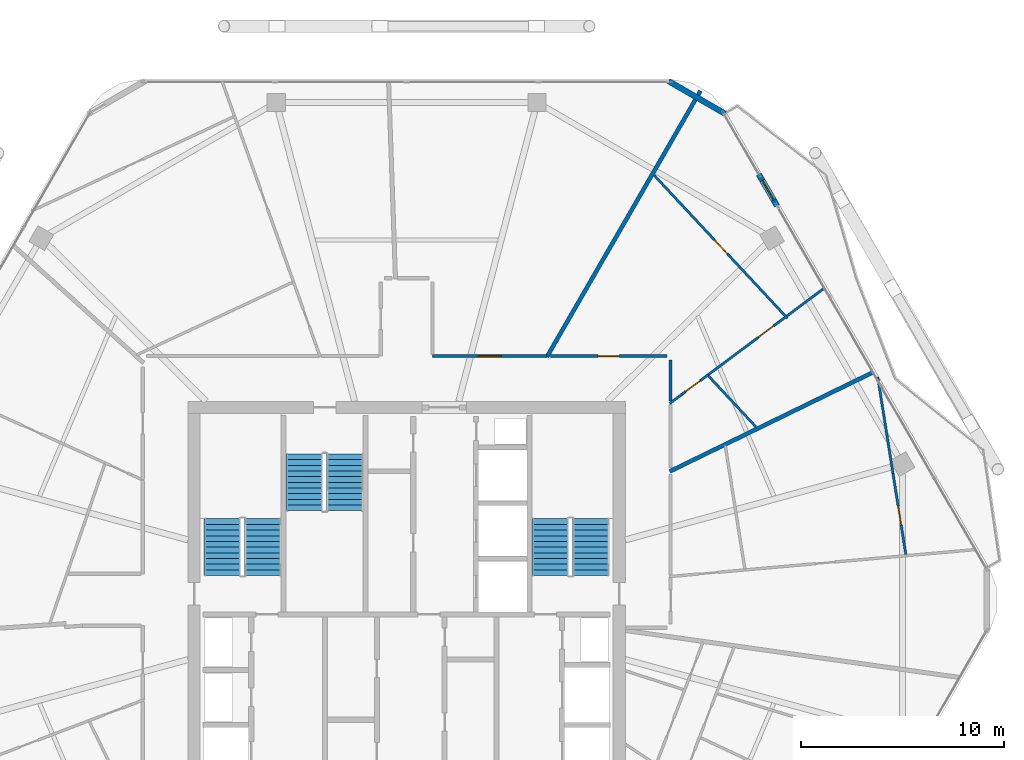
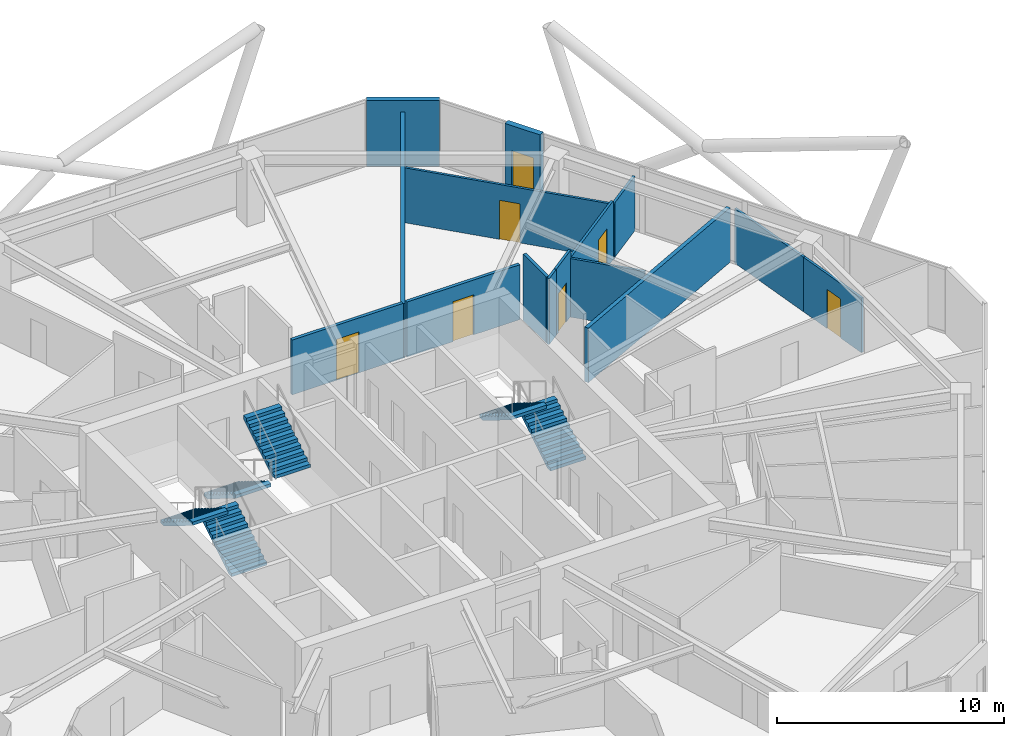
# One storey, part 24 of 27: 15 walls, 7 doors, 6 stair flights, 7 openings, 3 elements without a shape of their own.
"""IFC4 building model written with IfcOpenShell, lengths in metres."""

from ifc_helpers import new_model, si_unit, direction, frame, frame_2d, origin, place, context, subcontext, project, spatial, polyline, rectangle, outline, extrude, material, layer, layer_set, type_object, element, fill, aggregate, save


model = new_model("IFC4")

# Units and contexts
model_context = context("Model", 3, precision=1e-05, world=origin(), true_north=direction((0.0, 1.0)))
body_context = subcontext(model_context, "Body", "Model", "MODEL_VIEW")
ifc_project = project(units=[si_unit("LENGTHUNIT", "METRE"), si_unit("AREAUNIT", "SQUARE_METRE"), si_unit("VOLUMEUNIT", "CUBIC_METRE"), si_unit("PLANEANGLEUNIT", "RADIAN"), si_unit("MASSUNIT", "GRAM", prefix="KILO")], contexts=[model_context])

# Site, building, storey
site_placement = place(None, origin())
site = spatial("IfcSite", under=ifc_project, at=site_placement, CompositionType="ELEMENT")
building_placement = place(site_placement, origin())
building = spatial("IfcBuilding", under=site, at=building_placement, Name="Zuhravey Tower", CompositionType="ELEMENT")
storey_placement = place(building_placement, frame((0.0, 0.0, 238.800048828125)))
storey = spatial("IfcBuildingStorey", under=building, at=storey_placement, Name="L60", CompositionType="ELEMENT", Elevation=238.800048828125)

# Wall, opening, door
ifc_material_1 = material(Name="Gypsum fire-rated stud partition")
ifc_layer_1 = layer(ifc_material_1, 0.159912109375)
ifc_layer_set_1 = layer_set([ifc_layer_1], Name="Gypsum fire-rated stud partition")
wall_type_1 = type_object("IfcWallType", Name="Corridor Fire Partition 160", PredefinedType="PARTITIONING", material=ifc_layer_set_1)
wall_1_placement = place(storey_placement, frame((48.85009765625, 44.030029296875, 0.0), z_axis=(0.0, 0.0, 1.0), x_axis=(-1.0, 0.0, 0.0)))
wall_1 = element("IfcWall", 1, at=wall_1_placement, inside=storey, type_object=wall_type_1, Name="L60 IW16 Partition 052", PredefinedType="PARTITIONING", context=body_context, shape_type="SweptSolid", body=[
    extrude(rectangle(XDim=5.74072265625, YDim=0.159912109375, at=frame_2d((2.870361328125, 0.0))), origin(), (0.0, 0.0, 1.0), 2.949951171875),
])
opening_1_placement = place(wall_1_placement, frame((2.34521484375, 0.0, 0.0)))
opening_1 = element("IfcOpeningElement", 2, at=opening_1_placement, cuts=wall_1, Name="Opening APD1", PredefinedType="OPENING", context=body_context, shape_type="SweptSolid", body=[
    extrude(rectangle(XDim=1.050048828125, YDim=2.14990234375, at=frame_2d((0.52490234375, 1.074951171875))), frame((0.0, 0.092041015625, 0.0), z_axis=(0.0, -1.0, 0.0), x_axis=(1.0, 0.0, 0.0)), (0.0, 0.0, 1.0), 0.183837890625),
])
ifc_material_2 = material(Name="Solid-core oak fire-rated leaf")
door_type_1 = type_object("IfcDoorType", Name="Apartment Entrance Fire Door 1050x2150", OperationType="NOTDEFINED", PredefinedType="DOOR", material=ifc_material_2)
door_1_placement = place(opening_1_placement, frame((1.050048828125, 0.0, 0.0), z_axis=(0.0, 0.0, 1.0), x_axis=(-1.0, 0.0, 0.0)))
door_1 = element("IfcDoor", 3, at=door_1_placement, inside=storey, type_object=door_type_1, Name="L60 Door 052.1", OperationType="SINGLE_SWING_RIGHT", OverallHeight=2.14990234375, OverallWidth=1.050048828125, PredefinedType="DOOR", context=body_context, shape_type="SweptSolid", body=[
    extrude(rectangle(XDim=1.050048828125, YDim=2.14990234375, at=frame_2d((0.52490234375, 1.074951171875))), frame((0.0, 0.02490234375, 0.0), z_axis=(0.0, -1.0, 0.0), x_axis=(1.0, 0.0, 0.0)), (0.0, 0.0, 1.0), 0.050048828125),
])
fill(opening_1, door_1)

wall_2_placement = place(storey_placement, frame((42.92236328125, 44.030029296875, 0.0), z_axis=(0.0, 0.0, 1.0), x_axis=(-1.0, 0.0, 0.0)))
wall_2 = element("IfcWall", 4, at=wall_2_placement, inside=storey, type_object=wall_type_1, Name="L60 IW16 Partition 053", PredefinedType="PARTITIONING", context=body_context, shape_type="SweptSolid", body=[
    extrude(rectangle(XDim=5.642333984375, YDim=0.159912109375, at=frame_2d((2.8212890625, 0.0))), origin(), (0.0, 0.0, 1.0), 2.949951171875),
])
opening_2_placement = place(wall_2_placement, frame((2.24609375, 0.0, 0.0)))
opening_2 = element("IfcOpeningElement", 5, at=opening_2_placement, cuts=wall_2, Name="Opening CLD1", PredefinedType="OPENING", context=body_context, shape_type="SweptSolid", body=[
    extrude(rectangle(XDim=1.14990234375, YDim=2.199951171875, at=frame_2d((0.574951171875, 1.10009765625))), frame((0.0, 0.092041015625, 0.0), z_axis=(0.0, -1.0, 0.0), x_axis=(1.0, 0.0, 0.0)), (0.0, 0.0, 1.0), 0.183837890625),
])
ifc_material_3 = material(Name="Acoustic timber leaf with vision lite", Category="wood")
door_type_2 = type_object("IfcDoorType", Name="Classroom Acoustic Door 1150x2200", OperationType="NOTDEFINED", PredefinedType="DOOR", material=ifc_material_3)
door_2_placement = place(opening_2_placement, frame((1.14990234375, 0.0, 0.0), z_axis=(0.0, 0.0, 1.0), x_axis=(-1.0, 0.0, 0.0)))
door_2 = element("IfcDoor", 6, at=door_2_placement, inside=storey, type_object=door_type_2, Name="L60 Door 053.1", OperationType="SINGLE_SWING_LEFT", OverallHeight=2.199951171875, OverallWidth=1.14990234375, PredefinedType="DOOR", context=body_context, shape_type="SweptSolid", body=[
    extrude(rectangle(XDim=1.14990234375, YDim=2.199951171875, at=frame_2d((0.574951171875, 1.10009765625))), frame((0.0, 0.02490234375, 0.0), z_axis=(0.0, -1.0, 0.0), x_axis=(1.0, 0.0, 0.0)), (0.0, 0.0, 1.0), 0.050048828125),
])
fill(opening_2, door_2)

# Walls
wall_3_placement = place(storey_placement, frame((49.030029296875, 41.8076171875, 0.0), z_axis=(0.0, 0.0, 1.0), x_axis=(0.0, 1.0, 0.0)))
element("IfcWall", 7, at=wall_3_placement, inside=storey, type_object=wall_type_1, Name="L60 IW16 Partition 112", PredefinedType="PARTITIONING", context=body_context, shape_type="SweptSolid", body=[
    extrude(rectangle(XDim=2.04248046875, YDim=0.159912109375, at=frame_2d((1.021240234375, 0.0))), origin(), (0.0, 0.0, 1.0), 3.550048828125),
])
ifc_material_4 = material(Name="Precast concrete C40/50", Category="concrete")
ifc_layer_2 = layer(ifc_material_4, 0.280029296875)
ifc_layer_set_2 = layer_set([ifc_layer_2], Name="Precast concrete C40/50")
wall_type_2 = type_object("IfcWallType", Name="Crown Architectural Wall 280", PredefinedType="SOLIDWALL", material=ifc_layer_set_2)
wall_4_placement = place(storey_placement, frame((48.930419921875, 57.611083984375, 0.0), z_axis=(0.0, 0.0, 1.0), x_axis=(0.866028773314, -0.499994163758, 0.0)))
element("IfcWall", 8, at=wall_4_placement, inside=storey, type_object=wall_type_2, Name="L60 Rounded Corner Closure Wall EW28-10", PredefinedType="SOLIDWALL", context=body_context, shape_type="SweptSolid", body=[
    extrude(rectangle(XDim=3.21484375, YDim=0.280029296875, at=frame_2d((1.607421875, 0.0))), origin(), (0.0, 0.0, 1.0), 3.550048828125),
])

# Wall, opening, door
wall_5_placement = place(storey_placement, frame((53.393310546875, 53.0009765625, 0.0), z_axis=(0.0, 0.0, 1.0), x_axis=(0.499982180423, -0.866035691677, 0.0)))
wall_5 = element("IfcWall", 9, at=wall_5_placement, inside=storey, type_object=wall_type_2, Name="L60 Face 1 Facade Pier EW28-1", PredefinedType="SOLIDWALL", context=body_context, shape_type="SweptSolid", body=[
    extrude(rectangle(XDim=1.7900390625, YDim=0.280029296875, at=frame_2d((0.89501953125, 0.0))), origin(), (0.0, 0.0, 1.0), 3.550048828125),
])
opening_3_placement = place(wall_5_placement, frame((0.344970703125, 0.0, 0.0)))
opening_3 = element("IfcOpeningElement", 10, at=opening_3_placement, cuts=wall_5, Name="Opening BLD1", PredefinedType="OPENING", context=body_context, shape_type="SweptSolid", body=[
    extrude(rectangle(XDim=1.10009765625, YDim=2.199951171875, at=frame_2d((0.550048828125, 1.10009765625))), frame((0.0, 0.152099609375, 0.0), z_axis=(0.0, -1.0, 0.0), x_axis=(1.0, 0.0, 0.0)), (0.0, 0.0, 1.0), 0.303955078125),
])
ifc_material_5 = material(Name="Thermally broken aluminium and low-E glass", Category="aluminium")
door_type_3 = type_object("IfcDoorType", Name="Balcony & Sky-Tray Glazed Door 1100x2200", OperationType="NOTDEFINED", PredefinedType="DOOR", material=ifc_material_5)
door_3_placement = place(opening_3_placement, frame((1.10009765625, 0.0, 0.0), z_axis=(0.0, 0.0, 1.0), x_axis=(-1.0, 0.0, 0.0)))
door_3 = element("IfcDoor", 11, at=door_3_placement, inside=storey, type_object=door_type_3, Name="L60 Face 1 Wave Balcony Door", OperationType="SINGLE_SWING_RIGHT", OverallHeight=2.199951171875, OverallWidth=1.10009765625, PredefinedType="DOOR", context=body_context, shape_type="SweptSolid", body=[
    extrude(rectangle(XDim=1.10009765625, YDim=2.199951171875, at=frame_2d((0.550048828125, 1.10009765625))), frame((0.0, 0.02490234375, 0.0), z_axis=(0.0, -1.0, 0.0), x_axis=(1.0, 0.0, 0.0)), (0.0, 0.0, 1.0), 0.050048828125),
])
fill(opening_3, door_3)

# Walls
ifc_material_6 = material(Name="Gypsum double-stud party assembly")
ifc_layer_3 = layer(ifc_material_6, 0.199951171875)
ifc_layer_set_3 = layer_set([ifc_layer_3], Name="Gypsum double-stud party assembly")
wall_type_3 = type_object("IfcWallType", Name="Inter-Tenancy Party Wall 200", PredefinedType="PARTITIONING", material=ifc_layer_set_3)
wall_6_placement = place(storey_placement, frame((48.989990234375, 38.335693359375, 0.0), z_axis=(0.0, 0.0, 1.0), x_axis=(0.898797423647, 0.438364222133, 0.0)))
element("IfcWall", 12, at=wall_6_placement, inside=storey, type_object=wall_type_3, Name="L60 IW20 Partition 090", PredefinedType="PARTITIONING", context=body_context, shape_type="SweptSolid", body=[
    extrude(rectangle(XDim=11.17333984375, YDim=0.199951171875, at=frame_2d((5.586669921875, 0.0))), origin(), (0.0, 0.0, 1.0), 2.929931640625),
])
wall_7_placement = place(storey_placement, frame((42.92236328125, 43.989990234375, 0.0), z_axis=(0.0, 0.0, 1.0), x_axis=(0.500001103527, 0.866024766662, 0.0)))
element("IfcWall", 13, at=wall_7_placement, inside=storey, type_object=wall_type_3, Name="L60 IW20 Partition 093", PredefinedType="PARTITIONING", context=body_context, shape_type="SweptSolid", body=[
    extrude(rectangle(XDim=15.16845703125, YDim=0.199951171875, at=frame_2d((7.584228515625, 0.0))), origin(), (0.0, 0.0, 1.0), 2.929931640625),
])

# Wall, opening, door
ifc_material_7 = material(Name="Gypsum metal-stud partition")
ifc_layer_4 = layer(ifc_material_7, 0.1201171875)
ifc_layer_set_4 = layer_set([ifc_layer_4], Name="Gypsum metal-stud partition")
wall_type_4 = type_object("IfcWallType", Name="Unit Internal Partition 120", PredefinedType="PARTITIONING", material=ifc_layer_set_4)
wall_8_placement = place(storey_placement, frame((60.647705078125, 34.241943359375, 0.0), z_axis=(0.0, 0.0, 1.0), x_axis=(-0.156452472951, 0.987685488254, 0.0)))
wall_8 = element("IfcWall", 14, at=wall_8_placement, inside=storey, type_object=wall_type_4, Name="L60 IW12 Partition 046", PredefinedType="PARTITIONING", context=body_context, shape_type="SweptSolid", body=[
    extrude(rectangle(XDim=4.043212890625, YDim=0.1201171875, at=frame_2d((2.021484375, 0.0))), origin(), (0.0, 0.0, 1.0), 2.929931640625),
])
opening_4_placement = place(wall_8_placement, frame((1.46240234375, 0.0, 0.0)))
opening_4 = element("IfcOpeningElement", 15, at=opening_4_placement, cuts=wall_8, Name="Opening IND1", PredefinedType="OPENING", context=body_context, shape_type="SweptSolid", body=[
    extrude(rectangle(XDim=0.949951171875, YDim=2.10009765625, at=frame_2d((0.47509765625, 1.050048828125))), frame((0.0, 0.072021484375, 0.0), z_axis=(0.0, -1.0, 0.0), x_axis=(1.0, 0.0, 0.0)), (0.0, 0.0, 1.0), 0.14404296875),
])
ifc_material_8 = material(Name="Painted engineered timber leaf", Category="wood")
door_type_4 = type_object("IfcDoorType", Name="Internal Room & Bedroom Door 950x2100", OperationType="NOTDEFINED", PredefinedType="DOOR", material=ifc_material_8)
door_4_placement = place(opening_4_placement, frame((0.949951171875, 0.0, 0.0), z_axis=(0.0, 0.0, 1.0), x_axis=(-1.0, 0.0, 0.0)))
door_4 = element("IfcDoor", 16, at=door_4_placement, inside=storey, type_object=door_type_4, Name="Apartment L60-07 Bedroom 1 Door", OperationType="SINGLE_SWING_LEFT", OverallHeight=2.10009765625, OverallWidth=0.949951171875, PredefinedType="DOOR", context=body_context, shape_type="SweptSolid", body=[
    extrude(rectangle(XDim=0.949951171875, YDim=2.10009765625, at=frame_2d((0.47509765625, 1.050048828125))), frame((0.0, 0.02490234375, 0.0), z_axis=(0.0, -1.0, 0.0), x_axis=(1.0, 0.0, 0.0)), (0.0, 0.0, 1.0), 0.050048828125),
])
fill(opening_4, door_4)

wall_9_placement = place(storey_placement, frame((54.80029296875, 45.90380859375, 0.0), z_axis=(0.0, 0.0, 1.0), x_axis=(-0.68198067204, 0.731370195567, 0.0)))
wall_9 = element("IfcWall", 17, at=wall_9_placement, inside=storey, type_object=wall_type_4, Name="L60 IW12 Partition 048", PredefinedType="PARTITIONING", context=body_context, shape_type="SweptSolid", body=[
    extrude(rectangle(XDim=9.63916015625, YDim=0.1201171875, at=frame_2d((4.819580078125, 0.0))), origin(), (0.0, 0.0, 1.0), 2.949951171875),
])
opening_5_placement = place(wall_9_placement, frame((4.344482421875, 0.0, 0.0)))
opening_5 = element("IfcOpeningElement", 18, at=opening_5_placement, cuts=wall_9, Name="Opening IND1", PredefinedType="OPENING", context=body_context, shape_type="SweptSolid", body=[
    extrude(rectangle(XDim=0.949951171875, YDim=2.10009765625, at=frame_2d((0.47509765625, 1.050048828125))), frame((0.0, 0.072021484375, 0.0), z_axis=(0.0, -1.0, 0.0), x_axis=(1.0, 0.0, 0.0)), (0.0, 0.0, 1.0), 0.14404296875),
])
door_5_placement = place(opening_5_placement, frame((0.949951171875, 0.0, 0.0), z_axis=(0.0, 0.0, 1.0), x_axis=(-1.0, 0.0, 0.0)))
door_5 = element("IfcDoor", 19, at=door_5_placement, inside=storey, type_object=door_type_4, Name="Apartment L60-08 Family Study Door", OperationType="SINGLE_SWING_LEFT", OverallHeight=2.10009765625, OverallWidth=0.949951171875, PredefinedType="DOOR", context=body_context, shape_type="SweptSolid", body=[
    extrude(rectangle(XDim=0.949951171875, YDim=2.10009765625, at=frame_2d((0.47509765625, 1.050048828125))), frame((0.0, 0.02490234375, 0.0), z_axis=(0.0, -1.0, 0.0), x_axis=(1.0, 0.0, 0.0)), (0.0, 0.0, 1.0), 0.050048828125),
])
fill(opening_5, door_5)

wall_10_placement = place(storey_placement, frame((49.60009765625, 42.148193359375, 0.0), z_axis=(0.0, 0.0, 1.0), x_axis=(0.801441831829, 0.598072729854, 0.0)))
wall_10 = element("IfcWall", 20, at=wall_10_placement, inside=storey, type_object=wall_type_4, Name="L60 IW12 Partition 049", PredefinedType="PARTITIONING", context=body_context, shape_type="SweptSolid", body=[
    extrude(rectangle(XDim=1.6025390625, YDim=0.1201171875, at=frame_2d((0.80126953125, 0.0))), origin(), (0.0, 0.0, 1.0), 3.550048828125),
])
opening_6_placement = place(wall_10_placement, frame((0.22314453125, 0.0, 0.0)))
opening_6 = element("IfcOpeningElement", 21, at=opening_6_placement, cuts=wall_10, Name="Opening WCD1", PredefinedType="OPENING", context=body_context, shape_type="SweptSolid", body=[
    extrude(rectangle(XDim=0.89990234375, YDim=2.10009765625, at=frame_2d((0.449951171875, 1.050048828125))), frame((0.0, 0.072021484375, 0.0), z_axis=(0.0, -1.0, 0.0), x_axis=(1.0, 0.0, 0.0)), (0.0, 0.0, 1.0), 0.14404296875),
])
ifc_material_9 = material(Name="Moisture-resistant timber leaf", Category="wood")
door_type_5 = type_object("IfcDoorType", Name="Bathroom & WC Internal Door 900x2100", OperationType="NOTDEFINED", PredefinedType="DOOR", material=ifc_material_9)
door_6_placement = place(opening_6_placement, frame((0.89990234375, 0.0, 0.0), z_axis=(0.0, 0.0, 1.0), x_axis=(-1.0, 0.0, 0.0)))
door_6 = element("IfcDoor", 22, at=door_6_placement, inside=storey, type_object=door_type_5, Name="Apartment L60-08 Bathroom Door", OperationType="SINGLE_SWING_RIGHT", OverallHeight=2.10009765625, OverallWidth=0.89990234375, PredefinedType="DOOR", context=body_context, shape_type="SweptSolid", body=[
    extrude(rectangle(XDim=0.89990234375, YDim=2.10009765625, at=frame_2d((0.449951171875, 1.050048828125))), frame((0.0, 0.02490234375, 0.0), z_axis=(0.0, -1.0, 0.0), x_axis=(1.0, 0.0, 0.0)), (0.0, 0.0, 1.0), 0.050048828125),
])
fill(opening_6, door_6)

wall_11_placement = place(storey_placement, frame((50.884521484375, 43.106689453125, 0.0), z_axis=(0.0, 0.0, 1.0), x_axis=(0.801471130314, 0.598033466684, 0.0)))
wall_11 = element("IfcWall", 23, at=wall_11_placement, inside=storey, type_object=wall_type_4, Name="L60 IW12 Partition 050", PredefinedType="PARTITIONING", context=body_context, shape_type="SweptSolid", body=[
    extrude(rectangle(XDim=4.73193359375, YDim=0.1201171875, at=frame_2d((2.365966796875, 0.0))), origin(), (0.0, 0.0, 1.0), 3.14990234375),
])
opening_7_placement = place(wall_11_placement, frame((3.087158203125, 0.0, 0.0)))
opening_7 = element("IfcOpeningElement", 24, at=opening_7_placement, cuts=wall_11, Name="Opening IND1", PredefinedType="OPENING", context=body_context, shape_type="SweptSolid", body=[
    extrude(rectangle(XDim=0.949951171875, YDim=2.10009765625, at=frame_2d((0.47509765625, 1.050048828125))), frame((0.0, 0.072021484375, 0.0), z_axis=(0.0, -1.0, 0.0), x_axis=(1.0, 0.0, 0.0)), (0.0, 0.0, 1.0), 0.14404296875),
])
door_7_placement = place(opening_7_placement, frame((0.949951171875, 0.0, 0.0), z_axis=(0.0, 0.0, 1.0), x_axis=(-1.0, 0.0, 0.0)))
door_7 = element("IfcDoor", 25, at=door_7_placement, inside=storey, type_object=door_type_4, Name="Apartment L60-08 Bedroom 1 Door", OperationType="SINGLE_SWING_LEFT", OverallHeight=2.10009765625, OverallWidth=0.949951171875, PredefinedType="DOOR", context=body_context, shape_type="SweptSolid", body=[
    extrude(rectangle(XDim=0.949951171875, YDim=2.10009765625, at=frame_2d((0.47509765625, 1.050048828125))), frame((0.0, 0.02490234375, 0.0), z_axis=(0.0, -1.0, 0.0), x_axis=(1.0, 0.0, 0.0)), (0.0, 0.0, 1.0), 0.050048828125),
])
fill(opening_7, door_7)

# Walls
wall_12_placement = place(storey_placement, frame((54.78662109375, 46.018310546875, 0.0), z_axis=(0.0, 0.0, 1.0), x_axis=(0.801420991662, 0.598100655511, 0.0)))
element("IfcWall", 26, at=wall_12_placement, inside=storey, type_object=wall_type_4, Name="L60 IW12 Partition 051", PredefinedType="PARTITIONING", context=body_context, shape_type="SweptSolid", body=[
    extrude(rectangle(XDim=2.305419921875, YDim=0.1201171875, at=frame_2d((1.15283203125, 0.0))), origin(), (0.0, 0.0, 1.0), 2.929931640625),
])
wall_13_placement = place(storey_placement, frame((60.014404296875, 38.239501953125, 0.0), z_axis=(0.0, 0.0, 1.0), x_axis=(-0.15641529171, 0.987691377162, 0.0)))
element("IfcWall", 27, at=wall_13_placement, inside=storey, type_object=wall_type_4, Name="L60 IW12 Partition 089", PredefinedType="PARTITIONING", context=body_context, shape_type="SweptSolid", body=[
    extrude(rectangle(XDim=4.818359375, YDim=0.1201171875, at=frame_2d((2.4091796875, 0.0))), origin(), (0.0, 0.0, 1.0), 2.929931640625),
])
wall_14_placement = place(storey_placement, frame((48.985107421875, 41.689208984375, 0.0), z_axis=(0.0, 0.0, 1.0), x_axis=(0.801410352198, 0.598114911526, 0.0)))
element("IfcWall", 28, at=wall_14_placement, inside=storey, type_object=wall_type_4, Name="L60 IW12 Partition 091", PredefinedType="PARTITIONING", context=body_context, shape_type="SweptSolid", body=[
    extrude(rectangle(XDim=0.767333984375, YDim=0.1201171875, at=frame_2d((0.3837890625, 0.0))), origin(), (0.0, 0.0, 1.0), 3.550048828125),
])
wall_15_placement = place(storey_placement, frame((53.249755859375, 40.533447265625, 0.0), z_axis=(0.0, 0.0, 1.0), x_axis=(-0.682008737139, 0.731344024701, 0.0)))
element("IfcWall", 29, at=wall_15_placement, inside=storey, type_object=wall_type_4, Name="L60 IW12 Partition 092", PredefinedType="PARTITIONING", context=body_context, shape_type="SweptSolid", body=[
    extrude(rectangle(XDim=3.429443359375, YDim=0.1201171875, at=frame_2d((1.71484375, 0.0))), origin(), (0.0, 0.0, 1.0), 3.14990234375),
])

# Stair, stair flights
ifc_material_10 = material(Name="Concrete C40/50", Category="concrete")
stair_type = type_object("IfcStairType", Name="Housing Storey Stair Assembly 3800", PredefinedType="HALF_TURN_STAIR", material=ifc_material_10)
stair_1_placement = place(storey_placement, origin())
stair_1 = element("IfcStair", 30, at=stair_1_placement, inside=storey, type_object=stair_type, Name="L60 Core Exit Stair ST1", PredefinedType="HALF_TURN_STAIR")
stair_flight_type = type_object("IfcStairFlightType", Name="Housing Storey Stair Flight 3800", PredefinedType="STRAIGHT", material=ifc_material_10)
stair_flight_1_placement = place(storey_placement, frame((28.89990234375, 33.199951171875, 0.0), z_axis=(0.0, 0.0, 1.0), x_axis=(0.0, 1.0, 0.0)))
stair_flight_1 = element("IfcStairFlight", 31, at=stair_flight_1_placement, type_object=stair_flight_type, Name="ST1 flight 1", NumberOfRisers=11, NumberOfTreads=10, PredefinedType="STRAIGHT", RiserHeight=0.172727273, TreadLength=0.28, context=body_context, shape_type="SweptSolid", body=[
    extrude(outline(polyline([(0.0, 0.0), (0.0, 0.172607421875), (0.280029296875, 0.172607421875), (0.280029296875, 0.345458984375), (0.56005859375, 0.345458984375), (0.56005859375, 0.51806640625), (0.840087890625, 0.51806640625), (0.840087890625, 0.69091796875), (1.1201171875, 0.69091796875), (1.1201171875, 0.863525390625), (1.39990234375, 0.863525390625), (1.39990234375, 1.036376953125), (1.679931640625, 1.036376953125), (1.679931640625, 1.208984375), (1.9599609375, 1.208984375), (1.9599609375, 1.3818359375), (2.239990234375, 1.3818359375), (2.239990234375, 1.554443359375), (2.52001953125, 1.554443359375), (2.52001953125, 1.727294921875), (2.800048828125, 1.727294921875), (2.800048828125, 1.89990234375), (2.800048828125, 1.551025390625), (0.285400390625, 0.0), (0.0, 0.0)])), frame((0.0, 0.89990234375, 0.0), z_axis=(0.0, -1.0, 0.0), x_axis=(1.0, 0.0, 0.0)), (0.0, 0.0, 1.0), 1.800048828125),
])
stair_flight_2_placement = place(storey_placement, frame((26.89990234375, 36.0, 1.89990234375), z_axis=(0.0, 0.0, 1.0), x_axis=(0.0, -1.0, 0.0)))
stair_flight_2 = element("IfcStairFlight", 32, at=stair_flight_2_placement, type_object=stair_flight_type, Name="ST1 flight 2", NumberOfRisers=11, NumberOfTreads=10, PredefinedType="STRAIGHT", RiserHeight=0.172727273, TreadLength=0.28, context=body_context, shape_type="SweptSolid", body=[
    extrude(outline(polyline([(0.0, 0.0), (0.0, 0.172607421875), (0.280029296875, 0.172607421875), (0.280029296875, 0.345458984375), (0.56005859375, 0.345458984375), (0.56005859375, 0.51806640625), (0.840087890625, 0.51806640625), (0.840087890625, 0.69091796875), (1.1201171875, 0.69091796875), (1.1201171875, 0.863525390625), (1.39990234375, 0.863525390625), (1.39990234375, 1.036376953125), (1.679931640625, 1.036376953125), (1.679931640625, 1.208984375), (1.9599609375, 1.208984375), (1.9599609375, 1.3818359375), (2.239990234375, 1.3818359375), (2.239990234375, 1.554443359375), (2.52001953125, 1.554443359375), (2.52001953125, 1.727294921875), (2.800048828125, 1.727294921875), (2.800048828125, 1.89990234375), (2.800048828125, 1.551025390625), (0.285400390625, 0.0), (0.0, 0.0)])), frame((0.0, 0.89990234375, 0.0), z_axis=(0.0, -1.0, 0.0), x_axis=(1.0, 0.0, 0.0)), (0.0, 0.0, 1.0), 1.800048828125),
])
aggregate(stair_1, [stair_flight_1, stair_flight_2])

stair_2_placement = place(storey_placement, origin())
stair_2 = element("IfcStair", 33, at=stair_2_placement, inside=storey, type_object=stair_type, Name="L60 Core Exit Stair ST2", PredefinedType="HALF_TURN_STAIR")
stair_flight_3_placement = place(storey_placement, frame((45.10009765625, 33.199951171875, 0.0), z_axis=(0.0, 0.0, 1.0), x_axis=(0.0, 1.0, 0.0)))
stair_flight_3 = element("IfcStairFlight", 34, at=stair_flight_3_placement, type_object=stair_flight_type, Name="ST2 flight 1", NumberOfRisers=11, NumberOfTreads=10, PredefinedType="STRAIGHT", RiserHeight=0.172727273, TreadLength=0.28, context=body_context, shape_type="SweptSolid", body=[
    extrude(outline(polyline([(0.0, 0.0), (0.0, 0.172607421875), (0.280029296875, 0.172607421875), (0.280029296875, 0.345458984375), (0.56005859375, 0.345458984375), (0.56005859375, 0.51806640625), (0.840087890625, 0.51806640625), (0.840087890625, 0.69091796875), (1.1201171875, 0.69091796875), (1.1201171875, 0.863525390625), (1.39990234375, 0.863525390625), (1.39990234375, 1.036376953125), (1.679931640625, 1.036376953125), (1.679931640625, 1.208984375), (1.9599609375, 1.208984375), (1.9599609375, 1.3818359375), (2.239990234375, 1.3818359375), (2.239990234375, 1.554443359375), (2.52001953125, 1.554443359375), (2.52001953125, 1.727294921875), (2.800048828125, 1.727294921875), (2.800048828125, 1.89990234375), (2.800048828125, 1.551025390625), (0.285400390625, 0.0), (0.0, 0.0)])), frame((0.0, 0.89990234375, 0.0), z_axis=(0.0, -1.0, 0.0), x_axis=(1.0, 0.0, 0.0)), (0.0, 0.0, 1.0), 1.800048828125),
])
stair_flight_4_placement = place(storey_placement, frame((43.10009765625, 36.0, 1.89990234375), z_axis=(0.0, 0.0, 1.0), x_axis=(0.0, -1.0, 0.0)))
stair_flight_4 = element("IfcStairFlight", 35, at=stair_flight_4_placement, type_object=stair_flight_type, Name="ST2 flight 2", NumberOfRisers=11, NumberOfTreads=10, PredefinedType="STRAIGHT", RiserHeight=0.172727273, TreadLength=0.28, context=body_context, shape_type="SweptSolid", body=[
    extrude(outline(polyline([(0.0, 0.0), (0.0, 0.172607421875), (0.280029296875, 0.172607421875), (0.280029296875, 0.345458984375), (0.56005859375, 0.345458984375), (0.56005859375, 0.51806640625), (0.840087890625, 0.51806640625), (0.840087890625, 0.69091796875), (1.1201171875, 0.69091796875), (1.1201171875, 0.863525390625), (1.39990234375, 0.863525390625), (1.39990234375, 1.036376953125), (1.679931640625, 1.036376953125), (1.679931640625, 1.208984375), (1.9599609375, 1.208984375), (1.9599609375, 1.3818359375), (2.239990234375, 1.3818359375), (2.239990234375, 1.554443359375), (2.52001953125, 1.554443359375), (2.52001953125, 1.727294921875), (2.800048828125, 1.727294921875), (2.800048828125, 1.89990234375), (2.800048828125, 1.551025390625), (0.285400390625, 0.0), (0.0, 0.0)])), frame((0.0, 0.89990234375, 0.0), z_axis=(0.0, -1.0, 0.0), x_axis=(1.0, 0.0, 0.0)), (0.0, 0.0, 1.0), 1.800048828125),
])
aggregate(stair_2, [stair_flight_3, stair_flight_4])

stair_3_placement = place(storey_placement, origin())
stair_3 = element("IfcStair", 36, at=stair_3_placement, inside=storey, type_object=stair_type, Name="L60 Core Exit Stair ST3", PredefinedType="HALF_TURN_STAIR")
stair_flight_5_placement = place(storey_placement, frame((30.949951171875, 39.199951171875, 0.0), z_axis=(0.0, 0.0, 1.0), x_axis=(0.0, -1.0, 0.0)))
stair_flight_5 = element("IfcStairFlight", 37, at=stair_flight_5_placement, type_object=stair_flight_type, Name="ST3 flight 1", NumberOfRisers=11, NumberOfTreads=10, PredefinedType="STRAIGHT", RiserHeight=0.172727273, TreadLength=0.28, context=body_context, shape_type="SweptSolid", body=[
    extrude(outline(polyline([(0.0, 0.0), (0.0, 0.172607421875), (0.280029296875, 0.172607421875), (0.280029296875, 0.345458984375), (0.56005859375, 0.345458984375), (0.56005859375, 0.51806640625), (0.840087890625, 0.51806640625), (0.840087890625, 0.69091796875), (1.1201171875, 0.69091796875), (1.1201171875, 0.863525390625), (1.39990234375, 0.863525390625), (1.39990234375, 1.036376953125), (1.679931640625, 1.036376953125), (1.679931640625, 1.208984375), (1.9599609375, 1.208984375), (1.9599609375, 1.3818359375), (2.239990234375, 1.3818359375), (2.239990234375, 1.554443359375), (2.52001953125, 1.554443359375), (2.52001953125, 1.727294921875), (2.800048828125, 1.727294921875), (2.800048828125, 1.89990234375), (2.800048828125, 1.551025390625), (0.285400390625, 0.0), (0.0, 0.0)])), frame((0.0, 0.89990234375, 0.0), z_axis=(0.0, -1.0, 0.0), x_axis=(1.0, 0.0, 0.0)), (0.0, 0.0, 1.0), 1.800048828125),
])
stair_flight_6_placement = place(storey_placement, frame((32.949951171875, 36.39990234375, 1.89990234375), z_axis=(0.0, 0.0, 1.0), x_axis=(0.0, 1.0, 0.0)))
stair_flight_6 = element("IfcStairFlight", 38, at=stair_flight_6_placement, type_object=stair_flight_type, Name="ST3 flight 2", NumberOfRisers=11, NumberOfTreads=10, PredefinedType="STRAIGHT", RiserHeight=0.172727273, TreadLength=0.28, context=body_context, shape_type="SweptSolid", body=[
    extrude(outline(polyline([(0.0, 0.0), (0.0, 0.172607421875), (0.280029296875, 0.172607421875), (0.280029296875, 0.345458984375), (0.56005859375, 0.345458984375), (0.56005859375, 0.51806640625), (0.840087890625, 0.51806640625), (0.840087890625, 0.69091796875), (1.1201171875, 0.69091796875), (1.1201171875, 0.863525390625), (1.39990234375, 0.863525390625), (1.39990234375, 1.036376953125), (1.679931640625, 1.036376953125), (1.679931640625, 1.208984375), (1.9599609375, 1.208984375), (1.9599609375, 1.3818359375), (2.239990234375, 1.3818359375), (2.239990234375, 1.554443359375), (2.52001953125, 1.554443359375), (2.52001953125, 1.727294921875), (2.800048828125, 1.727294921875), (2.800048828125, 1.89990234375), (2.800048828125, 1.551025390625), (0.285400390625, 0.0), (0.0, 0.0)])), frame((0.0, 0.89990234375, 0.0), z_axis=(0.0, -1.0, 0.0), x_axis=(1.0, 0.0, 0.0)), (0.0, 0.0, 1.0), 1.800048828125),
])
aggregate(stair_3, [stair_flight_5, stair_flight_6])

save(model, "model.ifc")
